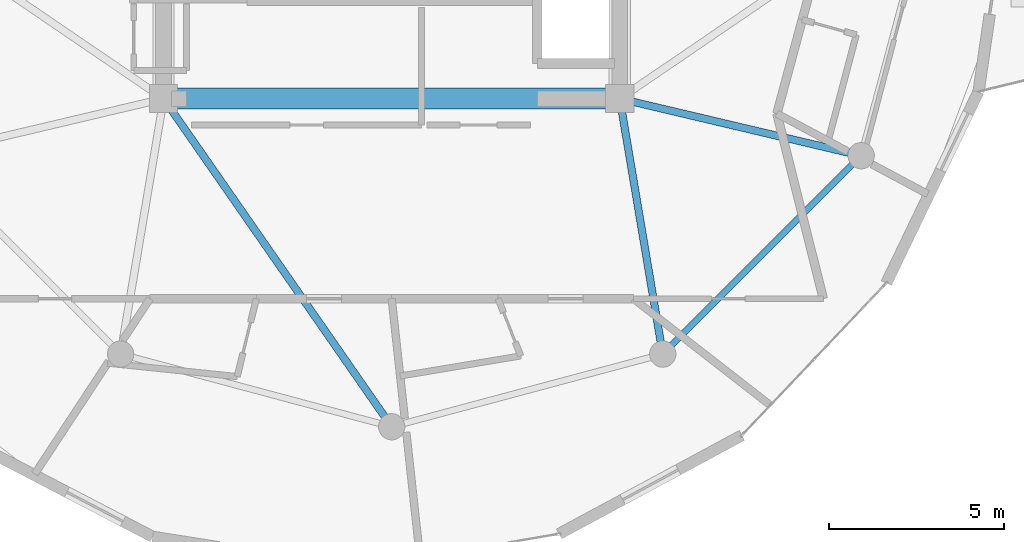
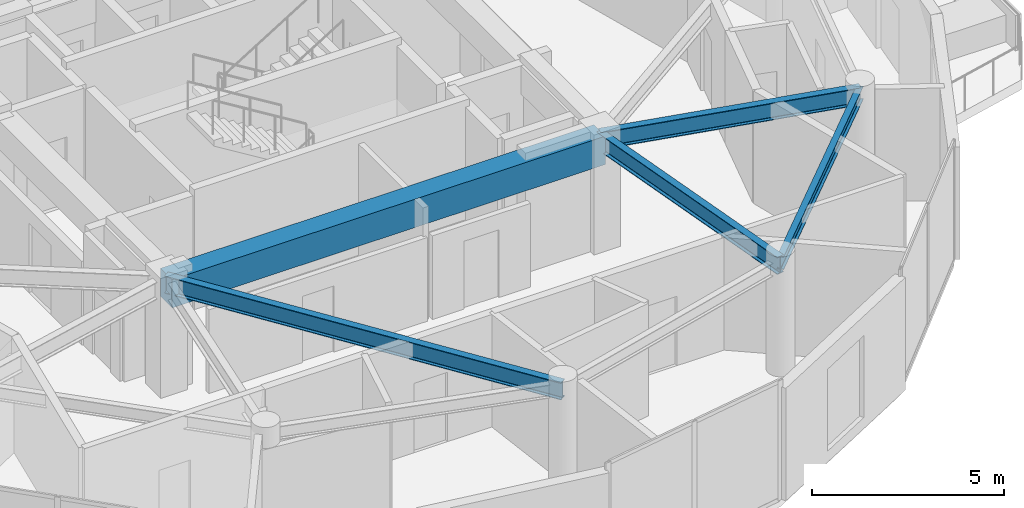
# One storey, part 6 of 22: 5 beams.
"""IFC4 building model written with IfcOpenShell, lengths in metres."""

from ifc_helpers import new_model, si_unit, direction, frame, origin, origin_2d, place, context, subcontext, project, spatial, rectangle, i_section, extrude, material, material_profile, profile_set, type_object, element, save


model = new_model("IFC4")

# Units and contexts
model_context = context("Model", 3, precision=1e-05, world=origin(), true_north=direction((0.0, 1.0)))
body_context = subcontext(model_context, "Body", "Model", "MODEL_VIEW")
ifc_project = project(units=[si_unit("LENGTHUNIT", "METRE"), si_unit("AREAUNIT", "SQUARE_METRE"), si_unit("VOLUMEUNIT", "CUBIC_METRE"), si_unit("PLANEANGLEUNIT", "RADIAN"), si_unit("MASSUNIT", "GRAM", prefix="KILO")], contexts=[model_context])

# Site, building, storey
site_placement = place(None, origin())
site = spatial("IfcSite", under=ifc_project, at=site_placement, CompositionType="ELEMENT")
building_placement = place(site_placement, origin())
building = spatial("IfcBuilding", under=site, at=building_placement, Name="Solvirekh Grand Hotel", CompositionType="ELEMENT")
storey_placement = place(building_placement, frame((0.0, 0.0, 278.199951171875)))
storey = spatial("IfcBuildingStorey", under=building, at=storey_placement, Name="L72", CompositionType="ELEMENT", Elevation=278.199951171875)

# Beams
ifc_material_1 = material(Name="Concrete C50/60", Category="concrete")
ifc_material_profile_1 = material_profile(ifc_material_1, rectangle(XDim=0.60009765625, YDim=0.89990234375, at=origin_2d()), Name="RC BEAM 600X900")
ifc_profile_set_1 = profile_set([ifc_material_profile_1], Name="Concrete C50/60")
beam_type_1 = type_object("IfcBeamType", Name="Beam_Core_RC900", PredefinedType="BEAM", material=ifc_profile_set_1)
beam_1_placement = place(storey_placement, frame((-6.5, -6.10009765625, 3.1201171875), z_axis=(1.0, 0.0, 0.0), x_axis=(0.0, 1.0, 0.0)))
element("IfcBeam", 1, at=beam_1_placement, inside=storey, type_object=beam_type_1, Name="L72 core coupling ring beam 1", PredefinedType="BEAM", context=body_context, shape_type="SweptSolid", body=[
    extrude(rectangle(XDim=0.60009765625, YDim=0.89990234375, at=origin_2d()), origin(), (0.0, 0.0, 1.0), 13.0),
])
ifc_material_2 = material(Name="Steel S355", Category="steel")
ifc_material_profile_2 = material_profile(ifc_material_2, i_section(OverallWidth=0.2119140625, OverallDepth=0.5439453125, WebThickness=0.011962890625, FlangeThickness=0.01904296875, FilletRadius=0.013916015625, at=origin_2d()), Name="W530X123")
ifc_profile_set_2 = profile_set([ifc_material_profile_2], Name="Steel S355")
beam_type_2 = type_object("IfcBeamType", Name="Beam_Radial_W530H", PredefinedType="BEAM", material=ifc_profile_set_2)
beam_2_placement = place(storey_placement, frame((-6.5, -6.10009765625, 3.298095703125), z_axis=(0.570813192472, -0.821079959139, 0.0), x_axis=(0.821079959139, 0.570813192472, 0.0)))
element("IfcBeam", 2, at=beam_2_placement, inside=storey, type_object=beam_type_2, Name="L72 radial floor beam R10", PredefinedType="BEAM", context=body_context, shape_type="SweptSolid", body=[
    extrude(i_section(OverallWidth=0.2119140625, OverallDepth=0.5439453125, WebThickness=0.011962890625, FlangeThickness=0.01904296875, FilletRadius=0.013916015625, at=origin_2d()), origin(), (0.0, 0.0, 1.0), 11.38720703125),
])
beam_3_placement = place(storey_placement, frame((6.5, -6.10009765625, 3.298095703125), z_axis=(0.165954049106, -0.986133486697, 0.0), x_axis=(0.986133486697, 0.165954049106, 0.0)))
element("IfcBeam", 3, at=beam_3_placement, inside=storey, type_object=beam_type_2, Name="L72 radial floor beam R11", PredefinedType="BEAM", context=body_context, shape_type="SweptSolid", body=[
    extrude(i_section(OverallWidth=0.2119140625, OverallDepth=0.5439453125, WebThickness=0.011962890625, FlangeThickness=0.01904296875, FilletRadius=0.013916015625, at=origin_2d()), origin(), (0.0, 0.0, 1.0), 7.382080078125),
])
beam_4_placement = place(storey_placement, frame((6.5, -6.10009765625, 3.298095703125), z_axis=(0.973221147544, -0.229870828888, 0.0), x_axis=(0.229870828888, 0.973221147544, 0.0)))
element("IfcBeam", 4, at=beam_4_placement, inside=storey, type_object=beam_type_2, Name="L72 radial floor beam R12", PredefinedType="BEAM", context=body_context, shape_type="SweptSolid", body=[
    extrude(i_section(OverallWidth=0.2119140625, OverallDepth=0.5439453125, WebThickness=0.011962890625, FlangeThickness=0.01904296875, FilletRadius=0.013916015625, at=origin_2d()), origin(), (0.0, 0.0, 1.0), 7.069091796875),
])
ifc_material_profile_3 = material_profile(ifc_material_2, i_section(OverallWidth=0.180908203125, OverallDepth=0.4169921875, WebThickness=0.010009765625, FlangeThickness=0.01611328125, FilletRadius=0.011962890625, at=origin_2d()), Name="W410X85")
ifc_profile_set_3 = profile_set([ifc_material_profile_3], Name="Steel S355")
beam_type_3 = type_object("IfcBeamType", Name="Spandrel_Ring_W410", PredefinedType="SPANDREL", material=ifc_profile_set_3)
beam_5_placement = place(storey_placement, frame((7.72509765625, -13.3798828125, 3.361083984375), z_axis=(0.707106781187, 0.707106781187, 0.0), x_axis=(-0.707106781187, 0.707106781187, 0.0)))
element("IfcBeam", 5, at=beam_5_placement, inside=storey, type_object=beam_type_3, Name="L72 perimeter spandrel beam 11", PredefinedType="SPANDREL", context=body_context, shape_type="SweptSolid", body=[
    extrude(i_section(OverallWidth=0.180908203125, OverallDepth=0.4169921875, WebThickness=0.010009765625, FlangeThickness=0.01611328125, FilletRadius=0.011962890625, at=origin_2d()), origin(), (0.0, 0.0, 1.0), 7.9970703125),
])

save(model, "model.ifc")
